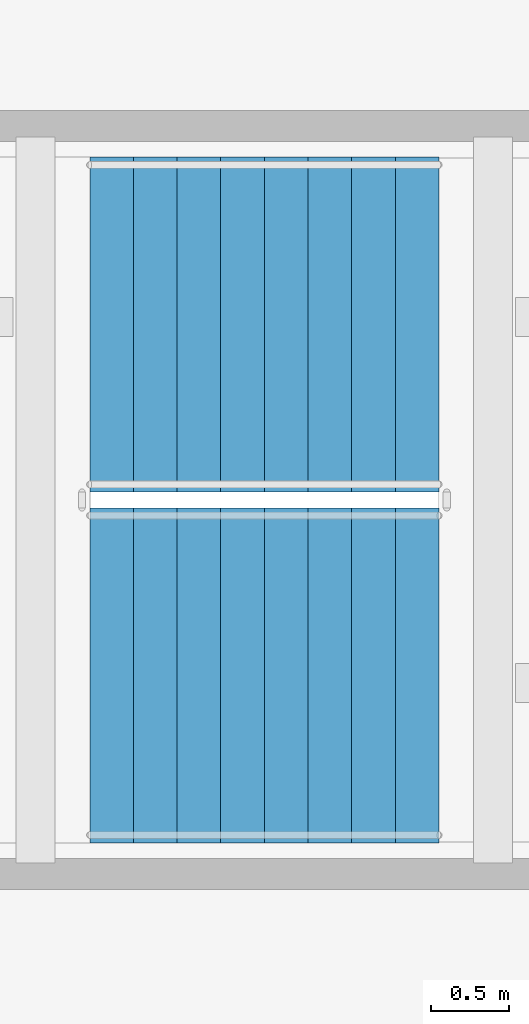
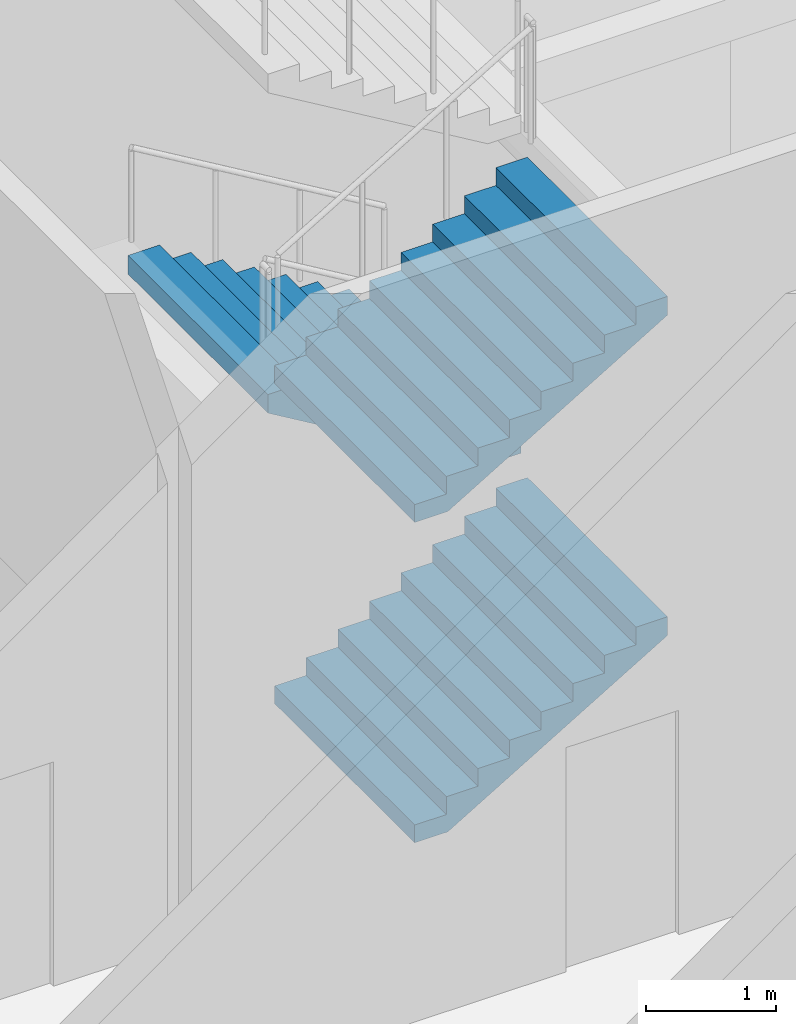
# One storey, part 21 of 29: 3 stair flights, 1 element without a shape of its own.
"""IFC4 building model written with IfcOpenShell, lengths in metres."""

import ifcopenshell
import ifcopenshell.guid

model = None  # the IFC model being written
_history = None  # IfcOwnerHistory: only IFC2X3 demands one
_inside = {}  # id of a spatial element -> (the spatial element, [elements in it])
_under = {}  # id of a project, library or spatial element -> (it, [spatial elements below it])
_declared = {}  # id of a project -> (the project, [libraries it declares])
_typed = {}  # id of a type object -> (the type object, [elements of that type])
_made_of = {}  # id of a material, layer set ... -> (it, [elements and type objects made of it])


def new_model(schema):
    """Start an empty IFC model of exactly this schema.

    Asked for "IFC4X3", IfcOpenShell would pick the latest addendum, in which some entities
    have other attributes; the version numbers below select the first issue.
    IFC2X3 requires an IfcOwnerHistory on every rooted entity: one is made here for all.
    """
    global model, _history
    if schema == "IFC4X3":
        model = ifcopenshell.file(schema_version=(4, 3, 0, 0))
    else:
        model = ifcopenshell.file(schema=schema)
    _inside.clear()
    _under.clear()
    _declared.clear()
    _typed.clear()
    _made_of.clear()
    _history = None
    if model.schema == "IFC2X3":
        org = make("IfcOrganization", Name="unknown")
        user = make(
            "IfcPersonAndOrganization",
            ThePerson=make("IfcPerson", FamilyName="unknown"),
            TheOrganization=org,
        )
        app = make(
            "IfcApplication",
            ApplicationDeveloper=org,
            Version="unknown",
            ApplicationFullName="unknown",
            ApplicationIdentifier="unknown",
        )
        _history = make(
            "IfcOwnerHistory",
            OwningUser=user,
            OwningApplication=app,
            ChangeAction="ADDED",
            CreationDate=0,
        )
    return model


def make(cls, **values):
    """One entity of the class cls with the attributes given. An attribute that is None is left unset."""
    return model.create_entity(
        cls, **{name: value for name, value in values.items() if value is not None}
    )


def rooted(cls, **values):
    """An entity with a GlobalId (a new one), such as an element, a storey or a relation."""
    return make(cls, GlobalId=ifcopenshell.guid.new(), OwnerHistory=_history, **values)


def si_unit(unit_type, name, prefix=None):
    """IfcSIUnit, for example si_unit("LENGTHUNIT", "METRE", prefix="MILLI")."""
    return make("IfcSIUnit", UnitType=unit_type, Prefix=prefix, Name=name)


def assignment(units):
    """IfcUnitAssignment: the units of a project."""
    return None if units is None else make("IfcUnitAssignment", Units=units)


def point(xyz):
    """IfcCartesianPoint."""
    return None if xyz is None else make("IfcCartesianPoint", Coordinates=xyz)


def direction(xyz):
    """IfcDirection."""
    return None if xyz is None else make("IfcDirection", DirectionRatios=xyz)


def frame(location, z_axis=None, x_axis=None):
    """IfcAxis2Placement3D, a coordinate frame: its origin and axes. An axis left out is left unset."""
    return make(
        "IfcAxis2Placement3D",
        Location=point(location),
        Axis=direction(z_axis),
        RefDirection=direction(x_axis),
    )


def origin():
    """The frame at (0, 0, 0) with its axes left unset."""
    return frame((0.0, 0.0, 0.0))


def place(relative_to, where):
    """IfcLocalPlacement: puts the frame where relative to a parent placement (None: the world)."""
    return make(
        "IfcLocalPlacement", PlacementRelTo=relative_to, RelativePlacement=where
    )


def context(
    kind, dimensions, precision=None, world=None, true_north=None, identifier=None
):
    """IfcGeometricRepresentationContext, for example the 3D "Model" context."""
    return make(
        "IfcGeometricRepresentationContext",
        ContextIdentifier=identifier,
        ContextType=kind,
        CoordinateSpaceDimension=dimensions,
        Precision=precision,
        WorldCoordinateSystem=world,
        TrueNorth=true_north,
    )


def subcontext(parent, identifier, kind, view, scale=None):
    """IfcGeometricRepresentationSubContext, for example "Body" below "Model"."""
    return make(
        "IfcGeometricRepresentationSubContext",
        ContextIdentifier=identifier,
        ContextType=kind,
        ParentContext=parent,
        TargetScale=scale,
        TargetView=view,
    )


def project(units=None, contexts=None):
    """IfcProject with its units and contexts."""
    return rooted(
        "IfcProject",
        Name="project",
        RepresentationContexts=contexts,
        UnitsInContext=assignment(units),
    )


def spatial(cls, under=None, at=None, **own):
    """A site, building, storey or space (cls), placed at a placement, below another one or the project."""
    s = rooted(cls, ObjectPlacement=at, **own)
    if under is not None:
        _under.setdefault(under.id(), (under, []))[1].append(s)
    return s


def point_list(points):
    """IfcCartesianPointList2D or 3D."""
    cls = (
        "IfcCartesianPointList2D" if len(points[0]) == 2 else "IfcCartesianPointList3D"
    )
    return make(cls, CoordList=points)


def triangles(points, corners, closed=None, point_numbers=None):
    """IfcTriangulatedFaceSet: each triangle names its three corners, points numbered from 1."""
    return make(
        "IfcTriangulatedFaceSet",
        Coordinates=point_list(points),
        Closed=closed,
        CoordIndex=corners,
        PnIndex=point_numbers,
    )


def shape(context_of_items, identifier, shape_type, items):
    """IfcShapeRepresentation: the items that make up one representation, for example the "Body"."""
    return make(
        "IfcShapeRepresentation",
        ContextOfItems=context_of_items,
        RepresentationIdentifier=identifier,
        RepresentationType=shape_type,
        Items=items,
    )


def material(Name=None, Category=None):
    """IfcMaterial."""
    return make("IfcMaterial", Name=Name, Category=Category)


def made_of(thing, what):
    """Note that an element or type object is made of a material, layer set ...; save() writes the relation."""
    if what is not None:
        _made_of.setdefault(what.id(), (what, []))[1].append(thing)
    return thing


def type_object(cls, material=None, **own):
    """A type object (cls), such as IfcWallType, which elements share."""
    return made_of(rooted(cls, **own), material)


def element(
    cls,
    number,
    at=None,
    inside=None,
    cuts=None,
    type_object=None,
    material=None,
    context=None,
    identifier="Body",
    shape_type=None,
    held_by="IfcProductDefinitionShape",
    body=None,
    shapes=None,
    **own,
):
    """One element of the class cls, such as IfcWall. Its Tag is "e" and its number.

    at: its placement. inside: the storey or other place that contains it. cuts: it is an
    opening in that element (IfcRelVoidsElement). A single representation is given by context,
    identifier, shape_type and body (its items); several are given by shapes. held_by: the class
    of the entity that holds the representations. save() writes the other relations.
    """
    e = rooted(cls, Tag="e%d" % number, ObjectPlacement=at, **own)
    if body is not None:
        shapes = [shape(context, identifier, shape_type, body)]
    if shapes is not None:
        e.Representation = make(held_by, Representations=shapes)
    if inside is not None:
        _inside.setdefault(inside.id(), (inside, []))[1].append(e)
    if cuts is not None:
        rooted(
            "IfcRelVoidsElement", RelatingBuildingElement=cuts, RelatedOpeningElement=e
        )
    if type_object is not None:
        _typed.setdefault(type_object.id(), (type_object, []))[1].append(e)
    return made_of(e, material)


def aggregate(whole, parts):
    """IfcRelAggregates: a whole, such as a stair, and the parts it consists of."""
    return rooted("IfcRelAggregates", RelatingObject=whole, RelatedObjects=parts)


def save(model, path):
    """Write the relations noted so far, then the file.

    IfcRelAggregates (storeys below a building ...), IfcRelContainedInSpatialStructure (elements
    in a storey), IfcRelDefinesByType, IfcRelAssociatesMaterial and IfcRelDeclares: one each for
    every whole, place, type object, material and project.
    """
    for whole, parts in _under.values():
        aggregate(whole, parts)
    for where, things in _inside.values():
        rooted(
            "IfcRelContainedInSpatialStructure",
            RelatedElements=things,
            RelatingStructure=where,
        )
    for kind, things in _typed.values():
        rooted("IfcRelDefinesByType", RelatedObjects=things, RelatingType=kind)
    for what, things in _made_of.values():
        rooted("IfcRelAssociatesMaterial", RelatedObjects=things, RelatingMaterial=what)
    for by, libraries in _declared.values():
        rooted("IfcRelDeclares", RelatingContext=by, RelatedDefinitions=libraries)
    model.write(path)


model = new_model("IFC4")

# Units and contexts
model_context = context("Model", 3, precision=1e-05, world=origin(), true_north=direction((0.0, 1.0)))
body_context = subcontext(model_context, "Body", "Model", "MODEL_VIEW")
ifc_project = project(units=[si_unit("LENGTHUNIT", "METRE"), si_unit("AREAUNIT", "SQUARE_METRE"), si_unit("VOLUMEUNIT", "CUBIC_METRE"), si_unit("PLANEANGLEUNIT", "RADIAN"), si_unit("MASSUNIT", "GRAM", prefix="KILO")], contexts=[model_context])

# Site, building, storey
site_placement = place(None, origin())
site = spatial("IfcSite", under=ifc_project, at=site_placement, CompositionType="ELEMENT")
building_placement = place(site_placement, origin())
building = spatial("IfcBuilding", under=site, at=building_placement, Name="Verdalira Terraces Hotel", CompositionType="ELEMENT")
storey_placement = place(building_placement, frame((0.0, 0.0, 8.0)))
storey = spatial("IfcBuildingStorey", under=building, at=storey_placement, Name="L01", CompositionType="ELEMENT", Elevation=8.0)

# Stair, stair flights
ifc_material_1 = material(Name="Concrete C40", Category="concrete")
stair_type = type_object("IfcStairType", Name="Podium stair 36 risers", PredefinedType="HALF_TURN_STAIR", material=ifc_material_1)
stair_placement = place(storey_placement, origin())
stair = element("IfcStair", 1, at=stair_placement, inside=storey, type_object=stair_type, Name="L01 Exit stair PS1", PredefinedType="HALF_TURN_STAIR")
ifc_material_2 = material(Name="Concrete C40", Category="concrete")
stair_flight_type = type_object("IfcStairFlightType", Name="Podium stair flight 36 risers", PredefinedType="STRAIGHT", material=ifc_material_2)
stair_flight_1_placement = place(storey_placement, frame((-0.75, 37.675049, 0.0), z_axis=(0.0, 0.0, 1.0), x_axis=(1.0, 0.0, 0.0)))
stair_flight_1 = element("IfcStairFlight", 2, at=stair_flight_1_placement, type_object=stair_flight_type, Name="PS1 flight 1", NumberOfRisers=9, NumberOfTreads=8, PredefinedType="STRAIGHT", RiserHeight=0.166666667, TreadLength=0.28, context=body_context, shape_type="Tessellation", body=[
    triangles([(0.0, 1.074951, 0.0), (0.292969, 1.074951, 0.0), (2.23999, 1.074951, 1.158936), (0.0, -1.074951, 0.0), (0.292969, -1.074951, 0.0), (2.23999, -1.074951, 1.158936), (2.23999, 1.074951, 1.333252), (1.959961, 1.074951, 1.333252), (2.23999, -1.074951, 1.333252), (1.959961, -1.074951, 1.333252), (1.959961, 1.074951, 1.166748), (1.959961, -1.074951, 1.166748), (1.679932, 1.074951, 1.166748), (1.679932, -1.074951, 1.166748), (1.679932, 1.074951, 1.0), (1.679932, -1.074951, 1.0), (1.399902, 1.074951, 1.0), (1.399902, 1.074951, 0.833252), (1.399902, -1.074951, 1.0), (1.399902, -1.074951, 0.833252), (1.120117, 1.074951, 0.833252), (1.120117, 1.074951, 0.666748), (1.120117, -1.074951, 0.833252), (1.120117, -1.074951, 0.666748), (0.840088, 1.074951, 0.666748), (0.840088, 1.074951, 0.5), (0.840088, -1.074951, 0.666748), (0.840088, -1.074951, 0.5), (0.560059, 1.074951, 0.5), (0.560059, 1.074951, 0.333252), (0.560059, -1.074951, 0.5), (0.560059, -1.074951, 0.333252), (0.280029, 1.074951, 0.333252), (0.280029, 1.074951, 0.166748), (0.280029, -1.074951, 0.333252), (0.280029, -1.074951, 0.166748), (0.0, 1.074951, 0.166748), (0.0, -1.074951, 0.166748), (0.0, -1.007767, 0.0), (0.0, -1.007767, 0.166748), (0.0, -0.940582, 0.0), (0.0, -0.940582, 0.166748), (0.0, -0.873398, 0.0), (0.0, -0.873398, 0.166748), (0.0, -0.806213, 0.0), (0.0, -0.806213, 0.166748), (0.0, -0.739029, 0.0), (0.0, -0.739029, 0.166748), (0.0, -0.671844, 0.0), (0.0, -0.671844, 0.166748), (0.0, -0.60466, 0.0), (0.0, -0.60466, 0.166748), (0.0, -0.537476, 0.0), (0.0, -0.537476, 0.166748), (0.0, -0.470291, 0.0), (0.0, -0.470291, 0.166748), (0.0, -0.403107, 0.0), (0.0, -0.403107, 0.166748), (0.0, -0.335922, 0.0), (0.0, -0.335922, 0.166748), (0.0, -0.268738, 0.0), (0.0, -0.268738, 0.166748), (0.0, -0.201553, 0.0), (0.0, -0.201553, 0.166748), (0.0, -0.134369, 0.0), (0.0, -0.134369, 0.166748), (0.0, -0.067184, 0.0), (0.0, -0.067184, 0.166748), (0.0, 0.0, 0.0), (0.0, 0.0, 0.166748), (0.0, 0.067184, 0.0), (0.0, 0.067184, 0.166748), (0.0, 0.134369, 0.0), (0.0, 0.134369, 0.166748), (0.0, 0.201553, 0.0), (0.0, 0.201553, 0.166748), (0.0, 0.268738, 0.0), (0.0, 0.268738, 0.166748), (0.0, 0.335922, 0.0), (0.0, 0.335922, 0.166748), (0.0, 0.403107, 0.0), (0.0, 0.403107, 0.166748), (0.0, 0.470291, 0.0), (0.0, 0.470291, 0.166748), (0.0, 0.537476, 0.0), (0.0, 0.537476, 0.166748), (0.0, 0.60466, 0.0), (0.0, 0.60466, 0.166748), (0.0, 0.671844, 0.0), (0.0, 0.671844, 0.166748), (0.0, 0.739029, 0.0), (0.0, 0.739029, 0.166748), (0.0, 0.806213, 0.0), (0.0, 0.806213, 0.166748), (0.0, 0.873398, 0.0), (0.0, 0.873398, 0.166748), (0.0, 0.940582, 0.0), (0.0, 0.940582, 0.166748), (0.0, 1.007767, 0.0), (0.0, 1.007767, 0.166748), (2.23999, -1.007767, 1.333252), (2.23999, -0.940582, 1.333252), (2.23999, -0.873398, 1.333252), (2.23999, -0.806213, 1.333252), (2.23999, -0.739029, 1.333252), (2.23999, -0.671844, 1.333252), (2.23999, -0.60466, 1.333252), (2.23999, -0.537476, 1.333252), (2.23999, -0.470291, 1.333252), (2.23999, -0.403107, 1.333252), (2.23999, -0.335922, 1.333252), (2.23999, -0.268738, 1.333252), (2.23999, -0.201553, 1.333252), (2.23999, -0.134369, 1.333252), (2.23999, -0.067184, 1.333252), (2.23999, 0.0, 1.333252), (2.23999, 0.067184, 1.333252), (2.23999, 0.134369, 1.333252), (2.23999, 0.201553, 1.333252), (2.23999, 0.268738, 1.333252), (2.23999, 0.335922, 1.333252), (2.23999, 0.403107, 1.333252), (2.23999, 0.470291, 1.333252), (2.23999, 0.537476, 1.333252), (2.23999, 0.60466, 1.333252), (2.23999, 0.671844, 1.333252), (2.23999, 0.739029, 1.333252), (2.23999, 0.806213, 1.333252), (2.23999, 0.873398, 1.333252), (2.23999, 0.940582, 1.333252), (2.23999, 1.007767, 1.333252), (2.23999, -1.007767, 1.158936), (2.23999, -0.940582, 1.158936), (2.23999, -0.873398, 1.158936), (2.23999, -0.806213, 1.158936), (2.23999, -0.739029, 1.158936), (2.23999, -0.671844, 1.158936), (2.23999, -0.60466, 1.158936), (2.23999, -0.537476, 1.158936), (2.23999, -0.470291, 1.158936), (2.23999, -0.403107, 1.158936), (2.23999, -0.335922, 1.158936), (2.23999, -0.268738, 1.158936), (2.23999, -0.201553, 1.158936), (2.23999, -0.134369, 1.158936), (2.23999, -0.067184, 1.158936), (2.23999, 0.0, 1.158936), (2.23999, 0.067184, 1.158936), (2.23999, 0.134369, 1.158936), (2.23999, 0.201553, 1.158936), (2.23999, 0.268738, 1.158936), (2.23999, 0.335922, 1.158936), (2.23999, 0.403107, 1.158936), (2.23999, 0.470291, 1.158936), (2.23999, 0.537476, 1.158936), (2.23999, 0.60466, 1.158936), (2.23999, 0.671844, 1.158936), (2.23999, 0.739029, 1.158936), (2.23999, 0.806213, 1.158936), (2.23999, 0.873398, 1.158936), (2.23999, 0.940582, 1.158936), (2.23999, 1.007767, 1.158936)], [[1, 3, 2], [4, 5, 6], [3, 8, 7], [6, 9, 10], [3, 11, 8], [6, 10, 12], [3, 13, 11], [6, 12, 14], [3, 15, 13], [6, 14, 16], [15, 18, 17], [16, 19, 20], [3, 18, 15], [6, 16, 20], [18, 22, 21], [20, 23, 24], [3, 22, 18], [6, 20, 24], [22, 26, 25], [24, 27, 28], [3, 26, 22], [6, 24, 28], [26, 30, 29], [28, 31, 32], [3, 30, 26], [6, 28, 32], [1, 30, 3], [4, 6, 32], [30, 34, 33], [32, 35, 36], [1, 34, 30], [4, 32, 36], [34, 1, 37], [36, 38, 4], [4, 40, 39], [4, 38, 40], [39, 42, 41], [39, 40, 42], [41, 44, 43], [41, 42, 44], [43, 46, 45], [43, 44, 46], [45, 48, 47], [45, 46, 48], [47, 50, 49], [47, 48, 50], [49, 52, 51], [49, 50, 52], [51, 54, 53], [51, 52, 54], [53, 56, 55], [53, 54, 56], [55, 58, 57], [55, 56, 58], [57, 60, 59], [57, 58, 60], [59, 62, 61], [59, 60, 62], [61, 64, 63], [61, 62, 64], [63, 66, 65], [63, 64, 66], [65, 68, 67], [65, 66, 68], [67, 70, 69], [67, 68, 70], [69, 72, 71], [69, 70, 72], [71, 74, 73], [71, 72, 74], [73, 76, 75], [73, 74, 76], [75, 78, 77], [75, 76, 78], [77, 80, 79], [77, 78, 80], [79, 82, 81], [79, 80, 82], [81, 84, 83], [81, 82, 84], [83, 86, 85], [83, 84, 86], [85, 88, 87], [85, 86, 88], [87, 90, 89], [87, 88, 90], [89, 92, 91], [89, 90, 92], [91, 94, 93], [91, 92, 94], [93, 96, 95], [93, 94, 96], [95, 98, 97], [95, 96, 98], [97, 100, 99], [97, 98, 100], [99, 37, 1], [99, 100, 37], [38, 36, 40], [40, 36, 42], [42, 36, 44], [44, 36, 46], [46, 36, 48], [48, 36, 50], [50, 36, 52], [52, 36, 54], [54, 36, 56], [56, 36, 58], [58, 36, 60], [60, 36, 62], [62, 36, 64], [64, 36, 66], [66, 36, 68], [68, 36, 70], [70, 36, 72], [72, 36, 74], [74, 36, 76], [76, 36, 78], [78, 36, 80], [80, 36, 82], [82, 36, 84], [84, 36, 86], [86, 36, 88], [88, 36, 90], [90, 36, 92], [92, 36, 94], [94, 36, 96], [96, 36, 98], [98, 36, 100], [100, 36, 37], [37, 36, 34], [36, 33, 34], [36, 35, 33], [35, 30, 33], [35, 32, 30], [32, 29, 30], [32, 31, 29], [31, 26, 29], [31, 28, 26], [28, 25, 26], [28, 27, 25], [27, 22, 25], [27, 24, 22], [24, 21, 22], [24, 23, 21], [23, 18, 21], [23, 20, 18], [20, 17, 18], [20, 19, 17], [19, 15, 17], [19, 16, 15], [16, 13, 15], [16, 14, 13], [14, 11, 13], [14, 12, 11], [12, 8, 11], [12, 10, 8], [9, 101, 10], [101, 102, 10], [102, 103, 10], [103, 104, 10], [104, 105, 10], [105, 106, 10], [106, 107, 10], [107, 108, 10], [108, 109, 10], [109, 110, 10], [110, 111, 10], [111, 112, 10], [112, 113, 10], [113, 114, 10], [114, 115, 10], [115, 116, 10], [116, 117, 10], [117, 118, 10], [118, 119, 10], [119, 120, 10], [120, 121, 10], [121, 122, 10], [122, 123, 10], [123, 124, 10], [124, 125, 10], [125, 126, 10], [126, 127, 10], [127, 128, 10], [128, 129, 10], [129, 130, 10], [130, 131, 10], [131, 7, 10], [7, 8, 10], [9, 132, 101], [9, 6, 132], [101, 133, 102], [101, 132, 133], [102, 134, 103], [102, 133, 134], [103, 135, 104], [103, 134, 135], [104, 136, 105], [104, 135, 136], [105, 137, 106], [105, 136, 137], [106, 138, 107], [106, 137, 138], [107, 139, 108], [107, 138, 139], [108, 140, 109], [108, 139, 140], [109, 141, 110], [109, 140, 141], [110, 142, 111], [110, 141, 142], [111, 143, 112], [111, 142, 143], [112, 144, 113], [112, 143, 144], [113, 145, 114], [113, 144, 145], [114, 146, 115], [114, 145, 146], [115, 147, 116], [115, 146, 147], [116, 148, 117], [116, 147, 148], [117, 149, 118], [117, 148, 149], [118, 150, 119], [118, 149, 150], [119, 151, 120], [119, 150, 151], [120, 152, 121], [120, 151, 152], [121, 153, 122], [121, 152, 153], [122, 154, 123], [122, 153, 154], [123, 155, 124], [123, 154, 155], [124, 156, 125], [124, 155, 156], [125, 157, 126], [125, 156, 157], [126, 158, 127], [126, 157, 158], [127, 159, 128], [127, 158, 159], [128, 160, 129], [128, 159, 160], [129, 161, 130], [129, 160, 161], [130, 162, 131], [130, 161, 162], [131, 3, 7], [131, 162, 3], [6, 5, 132], [132, 5, 133], [133, 5, 134], [134, 5, 135], [135, 5, 136], [136, 5, 137], [137, 5, 138], [138, 5, 139], [139, 5, 140], [140, 5, 141], [141, 5, 142], [142, 5, 143], [143, 5, 144], [144, 5, 145], [145, 5, 146], [146, 5, 147], [147, 5, 148], [148, 5, 149], [149, 5, 150], [150, 5, 151], [151, 5, 152], [152, 5, 153], [153, 5, 154], [154, 5, 155], [155, 5, 156], [156, 5, 157], [157, 5, 158], [158, 5, 159], [159, 5, 160], [160, 5, 161], [161, 5, 162], [162, 5, 3], [3, 5, 2], [4, 39, 5], [39, 41, 5], [41, 43, 5], [43, 45, 5], [45, 47, 5], [47, 49, 5], [49, 51, 5], [51, 53, 5], [53, 55, 5], [55, 57, 5], [57, 59, 5], [59, 61, 5], [61, 63, 5], [63, 65, 5], [65, 67, 5], [67, 69, 5], [69, 71, 5], [71, 73, 5], [73, 75, 5], [75, 77, 5], [77, 79, 5], [79, 81, 5], [81, 83, 5], [83, 85, 5], [85, 87, 5], [87, 89, 5], [89, 91, 5], [91, 93, 5], [93, 95, 5], [95, 97, 5], [97, 99, 5], [99, 1, 5], [1, 2, 5]], closed=True),
])
stair_flight_2_placement = place(storey_placement, frame((1.48999, 39.925049, 1.5), z_axis=(0.0, 0.0, 1.0), x_axis=(-1.0, 0.0, 0.0)))
stair_flight_2 = element("IfcStairFlight", 3, at=stair_flight_2_placement, type_object=stair_flight_type, Name="PS1 flight 2", NumberOfRisers=9, NumberOfTreads=8, PredefinedType="STRAIGHT", RiserHeight=0.166666667, TreadLength=0.28, context=body_context, shape_type="Tessellation", body=[
    triangles([(0.0, 1.074951, 0.0), (0.292969, 1.074951, 0.0), (2.23999, 1.074951, 1.158936), (0.0, -1.074951, 0.0), (0.292969, -1.074951, 0.0), (2.23999, -1.074951, 1.158936), (2.23999, 1.074951, 1.333252), (1.959961, 1.074951, 1.333252), (2.23999, -1.074951, 1.333252), (1.959961, -1.074951, 1.333252), (1.959961, 1.074951, 1.166748), (1.959961, -1.074951, 1.166748), (1.679932, 1.074951, 1.166748), (1.679932, -1.074951, 1.166748), (1.679932, 1.074951, 1.0), (1.679932, -1.074951, 1.0), (1.399902, 1.074951, 1.0), (1.399902, 1.074951, 0.833252), (1.399902, -1.074951, 1.0), (1.399902, -1.074951, 0.833252), (1.120117, 1.074951, 0.833252), (1.120117, 1.074951, 0.666748), (1.120117, -1.074951, 0.833252), (1.120117, -1.074951, 0.666748), (0.840088, 1.074951, 0.666748), (0.840088, 1.074951, 0.5), (0.840088, -1.074951, 0.666748), (0.840088, -1.074951, 0.5), (0.560059, 1.074951, 0.5), (0.560059, 1.074951, 0.333252), (0.560059, -1.074951, 0.5), (0.560059, -1.074951, 0.333252), (0.280029, 1.074951, 0.333252), (0.280029, 1.074951, 0.166748), (0.280029, -1.074951, 0.333252), (0.280029, -1.074951, 0.166748), (0.0, 1.074951, 0.166748), (0.0, -1.074951, 0.166748), (0.0, -1.007767, 0.0), (0.0, -1.007767, 0.166748), (0.0, -0.940582, 0.0), (0.0, -0.940582, 0.166748), (0.0, -0.873398, 0.0), (0.0, -0.873398, 0.166748), (0.0, -0.806213, 0.0), (0.0, -0.806213, 0.166748), (0.0, -0.739029, 0.0), (0.0, -0.739029, 0.166748), (0.0, -0.671844, 0.0), (0.0, -0.671844, 0.166748), (0.0, -0.60466, 0.0), (0.0, -0.60466, 0.166748), (0.0, -0.537476, 0.0), (0.0, -0.537476, 0.166748), (0.0, -0.470291, 0.0), (0.0, -0.470291, 0.166748), (0.0, -0.403107, 0.0), (0.0, -0.403107, 0.166748), (0.0, -0.335922, 0.0), (0.0, -0.335922, 0.166748), (0.0, -0.268738, 0.0), (0.0, -0.268738, 0.166748), (0.0, -0.201553, 0.0), (0.0, -0.201553, 0.166748), (0.0, -0.134369, 0.0), (0.0, -0.134369, 0.166748), (0.0, -0.067184, 0.0), (0.0, -0.067184, 0.166748), (0.0, 0.0, 0.0), (0.0, 0.0, 0.166748), (0.0, 0.067184, 0.0), (0.0, 0.067184, 0.166748), (0.0, 0.134369, 0.0), (0.0, 0.134369, 0.166748), (0.0, 0.201553, 0.0), (0.0, 0.201553, 0.166748), (0.0, 0.268738, 0.0), (0.0, 0.268738, 0.166748), (0.0, 0.335922, 0.0), (0.0, 0.335922, 0.166748), (0.0, 0.403107, 0.0), (0.0, 0.403107, 0.166748), (0.0, 0.470291, 0.0), (0.0, 0.470291, 0.166748), (0.0, 0.537476, 0.0), (0.0, 0.537476, 0.166748), (0.0, 0.60466, 0.0), (0.0, 0.60466, 0.166748), (0.0, 0.671844, 0.0), (0.0, 0.671844, 0.166748), (0.0, 0.739029, 0.0), (0.0, 0.739029, 0.166748), (0.0, 0.806213, 0.0), (0.0, 0.806213, 0.166748), (0.0, 0.873398, 0.0), (0.0, 0.873398, 0.166748), (0.0, 0.940582, 0.0), (0.0, 0.940582, 0.166748), (0.0, 1.007767, 0.0), (0.0, 1.007767, 0.166748), (2.23999, -1.007767, 1.333252), (2.23999, -0.940582, 1.333252), (2.23999, -0.873398, 1.333252), (2.23999, -0.806213, 1.333252), (2.23999, -0.739029, 1.333252), (2.23999, -0.671844, 1.333252), (2.23999, -0.60466, 1.333252), (2.23999, -0.537476, 1.333252), (2.23999, -0.470291, 1.333252), (2.23999, -0.403107, 1.333252), (2.23999, -0.335922, 1.333252), (2.23999, -0.268738, 1.333252), (2.23999, -0.201553, 1.333252), (2.23999, -0.134369, 1.333252), (2.23999, -0.067184, 1.333252), (2.23999, 0.0, 1.333252), (2.23999, 0.067184, 1.333252), (2.23999, 0.134369, 1.333252), (2.23999, 0.201553, 1.333252), (2.23999, 0.268738, 1.333252), (2.23999, 0.335922, 1.333252), (2.23999, 0.403107, 1.333252), (2.23999, 0.470291, 1.333252), (2.23999, 0.537476, 1.333252), (2.23999, 0.60466, 1.333252), (2.23999, 0.671844, 1.333252), (2.23999, 0.739029, 1.333252), (2.23999, 0.806213, 1.333252), (2.23999, 0.873398, 1.333252), (2.23999, 0.940582, 1.333252), (2.23999, 1.007767, 1.333252), (2.23999, -1.007767, 1.158936), (2.23999, -0.940582, 1.158936), (2.23999, -0.873398, 1.158936), (2.23999, -0.806213, 1.158936), (2.23999, -0.739029, 1.158936), (2.23999, -0.671844, 1.158936), (2.23999, -0.60466, 1.158936), (2.23999, -0.537476, 1.158936), (2.23999, -0.470291, 1.158936), (2.23999, -0.403107, 1.158936), (2.23999, -0.335922, 1.158936), (2.23999, -0.268738, 1.158936), (2.23999, -0.201553, 1.158936), (2.23999, -0.134369, 1.158936), (2.23999, -0.067184, 1.158936), (2.23999, 0.0, 1.158936), (2.23999, 0.067184, 1.158936), (2.23999, 0.134369, 1.158936), (2.23999, 0.201553, 1.158936), (2.23999, 0.268738, 1.158936), (2.23999, 0.335922, 1.158936), (2.23999, 0.403107, 1.158936), (2.23999, 0.470291, 1.158936), (2.23999, 0.537476, 1.158936), (2.23999, 0.60466, 1.158936), (2.23999, 0.671844, 1.158936), (2.23999, 0.739029, 1.158936), (2.23999, 0.806213, 1.158936), (2.23999, 0.873398, 1.158936), (2.23999, 0.940582, 1.158936), (2.23999, 1.007767, 1.158936)], [[1, 3, 2], [4, 5, 6], [3, 8, 7], [6, 9, 10], [3, 11, 8], [6, 10, 12], [3, 13, 11], [6, 12, 14], [3, 15, 13], [6, 14, 16], [15, 18, 17], [16, 19, 20], [3, 18, 15], [6, 16, 20], [18, 22, 21], [20, 23, 24], [3, 22, 18], [6, 20, 24], [22, 26, 25], [24, 27, 28], [3, 26, 22], [6, 24, 28], [26, 30, 29], [28, 31, 32], [3, 30, 26], [6, 28, 32], [1, 30, 3], [4, 6, 32], [30, 34, 33], [32, 35, 36], [1, 34, 30], [4, 32, 36], [34, 1, 37], [36, 38, 4], [4, 40, 39], [4, 38, 40], [39, 42, 41], [39, 40, 42], [41, 44, 43], [41, 42, 44], [43, 46, 45], [43, 44, 46], [45, 48, 47], [45, 46, 48], [47, 50, 49], [47, 48, 50], [49, 52, 51], [49, 50, 52], [51, 54, 53], [51, 52, 54], [53, 56, 55], [53, 54, 56], [55, 58, 57], [55, 56, 58], [57, 60, 59], [57, 58, 60], [59, 62, 61], [59, 60, 62], [61, 64, 63], [61, 62, 64], [63, 66, 65], [63, 64, 66], [65, 68, 67], [65, 66, 68], [67, 70, 69], [67, 68, 70], [69, 72, 71], [69, 70, 72], [71, 74, 73], [71, 72, 74], [73, 76, 75], [73, 74, 76], [75, 78, 77], [75, 76, 78], [77, 80, 79], [77, 78, 80], [79, 82, 81], [79, 80, 82], [81, 84, 83], [81, 82, 84], [83, 86, 85], [83, 84, 86], [85, 88, 87], [85, 86, 88], [87, 90, 89], [87, 88, 90], [89, 92, 91], [89, 90, 92], [91, 94, 93], [91, 92, 94], [93, 96, 95], [93, 94, 96], [95, 98, 97], [95, 96, 98], [97, 100, 99], [97, 98, 100], [99, 37, 1], [99, 100, 37], [38, 36, 40], [40, 36, 42], [42, 36, 44], [44, 36, 46], [46, 36, 48], [48, 36, 50], [50, 36, 52], [52, 36, 54], [54, 36, 56], [56, 36, 58], [58, 36, 60], [60, 36, 62], [62, 36, 64], [64, 36, 66], [66, 36, 68], [68, 36, 70], [70, 36, 72], [72, 36, 74], [74, 36, 76], [76, 36, 78], [78, 36, 80], [80, 36, 82], [82, 36, 84], [84, 36, 86], [86, 36, 88], [88, 36, 90], [90, 36, 92], [92, 36, 94], [94, 36, 96], [96, 36, 98], [98, 36, 100], [100, 36, 37], [37, 36, 34], [36, 33, 34], [36, 35, 33], [35, 30, 33], [35, 32, 30], [32, 29, 30], [32, 31, 29], [31, 26, 29], [31, 28, 26], [28, 25, 26], [28, 27, 25], [27, 22, 25], [27, 24, 22], [24, 21, 22], [24, 23, 21], [23, 18, 21], [23, 20, 18], [20, 17, 18], [20, 19, 17], [19, 15, 17], [19, 16, 15], [16, 13, 15], [16, 14, 13], [14, 11, 13], [14, 12, 11], [12, 8, 11], [12, 10, 8], [9, 101, 10], [101, 102, 10], [102, 103, 10], [103, 104, 10], [104, 105, 10], [105, 106, 10], [106, 107, 10], [107, 108, 10], [108, 109, 10], [109, 110, 10], [110, 111, 10], [111, 112, 10], [112, 113, 10], [113, 114, 10], [114, 115, 10], [115, 116, 10], [116, 117, 10], [117, 118, 10], [118, 119, 10], [119, 120, 10], [120, 121, 10], [121, 122, 10], [122, 123, 10], [123, 124, 10], [124, 125, 10], [125, 126, 10], [126, 127, 10], [127, 128, 10], [128, 129, 10], [129, 130, 10], [130, 131, 10], [131, 7, 10], [7, 8, 10], [9, 132, 101], [9, 6, 132], [101, 133, 102], [101, 132, 133], [102, 134, 103], [102, 133, 134], [103, 135, 104], [103, 134, 135], [104, 136, 105], [104, 135, 136], [105, 137, 106], [105, 136, 137], [106, 138, 107], [106, 137, 138], [107, 139, 108], [107, 138, 139], [108, 140, 109], [108, 139, 140], [109, 141, 110], [109, 140, 141], [110, 142, 111], [110, 141, 142], [111, 143, 112], [111, 142, 143], [112, 144, 113], [112, 143, 144], [113, 145, 114], [113, 144, 145], [114, 146, 115], [114, 145, 146], [115, 147, 116], [115, 146, 147], [116, 148, 117], [116, 147, 148], [117, 149, 118], [117, 148, 149], [118, 150, 119], [118, 149, 150], [119, 151, 120], [119, 150, 151], [120, 152, 121], [120, 151, 152], [121, 153, 122], [121, 152, 153], [122, 154, 123], [122, 153, 154], [123, 155, 124], [123, 154, 155], [124, 156, 125], [124, 155, 156], [125, 157, 126], [125, 156, 157], [126, 158, 127], [126, 157, 158], [127, 159, 128], [127, 158, 159], [128, 160, 129], [128, 159, 160], [129, 161, 130], [129, 160, 161], [130, 162, 131], [130, 161, 162], [131, 3, 7], [131, 162, 3], [6, 5, 132], [132, 5, 133], [133, 5, 134], [134, 5, 135], [135, 5, 136], [136, 5, 137], [137, 5, 138], [138, 5, 139], [139, 5, 140], [140, 5, 141], [141, 5, 142], [142, 5, 143], [143, 5, 144], [144, 5, 145], [145, 5, 146], [146, 5, 147], [147, 5, 148], [148, 5, 149], [149, 5, 150], [150, 5, 151], [151, 5, 152], [152, 5, 153], [153, 5, 154], [154, 5, 155], [155, 5, 156], [156, 5, 157], [157, 5, 158], [158, 5, 159], [159, 5, 160], [160, 5, 161], [161, 5, 162], [162, 5, 3], [3, 5, 2], [4, 39, 5], [39, 41, 5], [41, 43, 5], [43, 45, 5], [45, 47, 5], [47, 49, 5], [49, 51, 5], [51, 53, 5], [53, 55, 5], [55, 57, 5], [57, 59, 5], [59, 61, 5], [61, 63, 5], [63, 65, 5], [65, 67, 5], [67, 69, 5], [69, 71, 5], [71, 73, 5], [73, 75, 5], [75, 77, 5], [77, 79, 5], [79, 81, 5], [81, 83, 5], [83, 85, 5], [85, 87, 5], [87, 89, 5], [89, 91, 5], [91, 93, 5], [93, 95, 5], [95, 97, 5], [97, 99, 5], [99, 1, 5], [1, 2, 5]], closed=True),
])
stair_flight_3_placement = place(storey_placement, frame((-0.75, 37.675049, 3.0), z_axis=(0.0, 0.0, 1.0), x_axis=(1.0, 0.0, 0.0)))
stair_flight_3 = element("IfcStairFlight", 4, at=stair_flight_3_placement, type_object=stair_flight_type, Name="PS1 flight 3", NumberOfRisers=9, NumberOfTreads=8, PredefinedType="STRAIGHT", RiserHeight=0.166666667, TreadLength=0.28, context=body_context, shape_type="Tessellation", body=[
    triangles([(0.0, 1.074951, 0.0), (0.292969, 1.074951, 0.0), (2.23999, 1.074951, 1.158936), (0.0, -1.074951, 0.0), (0.292969, -1.074951, 0.0), (2.23999, -1.074951, 1.158936), (2.23999, 1.074951, 1.333252), (1.959961, 1.074951, 1.333252), (2.23999, -1.074951, 1.333252), (1.959961, -1.074951, 1.333252), (1.959961, 1.074951, 1.166748), (1.959961, -1.074951, 1.166748), (1.679932, 1.074951, 1.166748), (1.679932, -1.074951, 1.166748), (1.679932, 1.074951, 1.0), (1.679932, -1.074951, 1.0), (1.399902, 1.074951, 1.0), (1.399902, 1.074951, 0.833252), (1.399902, -1.074951, 1.0), (1.399902, -1.074951, 0.833252), (1.120117, 1.074951, 0.833252), (1.120117, 1.074951, 0.666748), (1.120117, -1.074951, 0.833252), (1.120117, -1.074951, 0.666748), (0.840088, 1.074951, 0.666748), (0.840088, 1.074951, 0.5), (0.840088, -1.074951, 0.666748), (0.840088, -1.074951, 0.5), (0.560059, 1.074951, 0.5), (0.560059, 1.074951, 0.333252), (0.560059, -1.074951, 0.5), (0.560059, -1.074951, 0.333252), (0.280029, 1.074951, 0.333252), (0.280029, 1.074951, 0.166748), (0.280029, -1.074951, 0.333252), (0.280029, -1.074951, 0.166748), (0.0, 1.074951, 0.166748), (0.0, -1.074951, 0.166748), (0.0, -1.007767, 0.0), (0.0, -1.007767, 0.166748), (0.0, -0.940582, 0.0), (0.0, -0.940582, 0.166748), (0.0, -0.873398, 0.0), (0.0, -0.873398, 0.166748), (0.0, -0.806213, 0.0), (0.0, -0.806213, 0.166748), (0.0, -0.739029, 0.0), (0.0, -0.739029, 0.166748), (0.0, -0.671844, 0.0), (0.0, -0.671844, 0.166748), (0.0, -0.60466, 0.0), (0.0, -0.60466, 0.166748), (0.0, -0.537476, 0.0), (0.0, -0.537476, 0.166748), (0.0, -0.470291, 0.0), (0.0, -0.470291, 0.166748), (0.0, -0.403107, 0.0), (0.0, -0.403107, 0.166748), (0.0, -0.335922, 0.0), (0.0, -0.335922, 0.166748), (0.0, -0.268738, 0.0), (0.0, -0.268738, 0.166748), (0.0, -0.201553, 0.0), (0.0, -0.201553, 0.166748), (0.0, -0.134369, 0.0), (0.0, -0.134369, 0.166748), (0.0, -0.067184, 0.0), (0.0, -0.067184, 0.166748), (0.0, 0.0, 0.0), (0.0, 0.0, 0.166748), (0.0, 0.067184, 0.0), (0.0, 0.067184, 0.166748), (0.0, 0.134369, 0.0), (0.0, 0.134369, 0.166748), (0.0, 0.201553, 0.0), (0.0, 0.201553, 0.166748), (0.0, 0.268738, 0.0), (0.0, 0.268738, 0.166748), (0.0, 0.335922, 0.0), (0.0, 0.335922, 0.166748), (0.0, 0.403107, 0.0), (0.0, 0.403107, 0.166748), (0.0, 0.470291, 0.0), (0.0, 0.470291, 0.166748), (0.0, 0.537476, 0.0), (0.0, 0.537476, 0.166748), (0.0, 0.60466, 0.0), (0.0, 0.60466, 0.166748), (0.0, 0.671844, 0.0), (0.0, 0.671844, 0.166748), (0.0, 0.739029, 0.0), (0.0, 0.739029, 0.166748), (0.0, 0.806213, 0.0), (0.0, 0.806213, 0.166748), (0.0, 0.873398, 0.0), (0.0, 0.873398, 0.166748), (0.0, 0.940582, 0.0), (0.0, 0.940582, 0.166748), (0.0, 1.007767, 0.0), (0.0, 1.007767, 0.166748), (2.23999, -1.007767, 1.333252), (2.23999, -0.940582, 1.333252), (2.23999, -0.873398, 1.333252), (2.23999, -0.806213, 1.333252), (2.23999, -0.739029, 1.333252), (2.23999, -0.671844, 1.333252), (2.23999, -0.60466, 1.333252), (2.23999, -0.537476, 1.333252), (2.23999, -0.470291, 1.333252), (2.23999, -0.403107, 1.333252), (2.23999, -0.335922, 1.333252), (2.23999, -0.268738, 1.333252), (2.23999, -0.201553, 1.333252), (2.23999, -0.134369, 1.333252), (2.23999, -0.067184, 1.333252), (2.23999, 0.0, 1.333252), (2.23999, 0.067184, 1.333252), (2.23999, 0.134369, 1.333252), (2.23999, 0.201553, 1.333252), (2.23999, 0.268738, 1.333252), (2.23999, 0.335922, 1.333252), (2.23999, 0.403107, 1.333252), (2.23999, 0.470291, 1.333252), (2.23999, 0.537476, 1.333252), (2.23999, 0.60466, 1.333252), (2.23999, 0.671844, 1.333252), (2.23999, 0.739029, 1.333252), (2.23999, 0.806213, 1.333252), (2.23999, 0.873398, 1.333252), (2.23999, 0.940582, 1.333252), (2.23999, 1.007767, 1.333252), (2.23999, -1.007767, 1.158936), (2.23999, -0.940582, 1.158936), (2.23999, -0.873398, 1.158936), (2.23999, -0.806213, 1.158936), (2.23999, -0.739029, 1.158936), (2.23999, -0.671844, 1.158936), (2.23999, -0.60466, 1.158936), (2.23999, -0.537476, 1.158936), (2.23999, -0.470291, 1.158936), (2.23999, -0.403107, 1.158936), (2.23999, -0.335922, 1.158936), (2.23999, -0.268738, 1.158936), (2.23999, -0.201553, 1.158936), (2.23999, -0.134369, 1.158936), (2.23999, -0.067184, 1.158936), (2.23999, 0.0, 1.158936), (2.23999, 0.067184, 1.158936), (2.23999, 0.134369, 1.158936), (2.23999, 0.201553, 1.158936), (2.23999, 0.268738, 1.158936), (2.23999, 0.335922, 1.158936), (2.23999, 0.403107, 1.158936), (2.23999, 0.470291, 1.158936), (2.23999, 0.537476, 1.158936), (2.23999, 0.60466, 1.158936), (2.23999, 0.671844, 1.158936), (2.23999, 0.739029, 1.158936), (2.23999, 0.806213, 1.158936), (2.23999, 0.873398, 1.158936), (2.23999, 0.940582, 1.158936), (2.23999, 1.007767, 1.158936)], [[1, 3, 2], [4, 5, 6], [3, 8, 7], [6, 9, 10], [3, 11, 8], [6, 10, 12], [3, 13, 11], [6, 12, 14], [3, 15, 13], [6, 14, 16], [15, 18, 17], [16, 19, 20], [3, 18, 15], [6, 16, 20], [18, 22, 21], [20, 23, 24], [3, 22, 18], [6, 20, 24], [22, 26, 25], [24, 27, 28], [3, 26, 22], [6, 24, 28], [26, 30, 29], [28, 31, 32], [3, 30, 26], [6, 28, 32], [1, 30, 3], [4, 6, 32], [30, 34, 33], [32, 35, 36], [1, 34, 30], [4, 32, 36], [34, 1, 37], [36, 38, 4], [4, 40, 39], [4, 38, 40], [39, 42, 41], [39, 40, 42], [41, 44, 43], [41, 42, 44], [43, 46, 45], [43, 44, 46], [45, 48, 47], [45, 46, 48], [47, 50, 49], [47, 48, 50], [49, 52, 51], [49, 50, 52], [51, 54, 53], [51, 52, 54], [53, 56, 55], [53, 54, 56], [55, 58, 57], [55, 56, 58], [57, 60, 59], [57, 58, 60], [59, 62, 61], [59, 60, 62], [61, 64, 63], [61, 62, 64], [63, 66, 65], [63, 64, 66], [65, 68, 67], [65, 66, 68], [67, 70, 69], [67, 68, 70], [69, 72, 71], [69, 70, 72], [71, 74, 73], [71, 72, 74], [73, 76, 75], [73, 74, 76], [75, 78, 77], [75, 76, 78], [77, 80, 79], [77, 78, 80], [79, 82, 81], [79, 80, 82], [81, 84, 83], [81, 82, 84], [83, 86, 85], [83, 84, 86], [85, 88, 87], [85, 86, 88], [87, 90, 89], [87, 88, 90], [89, 92, 91], [89, 90, 92], [91, 94, 93], [91, 92, 94], [93, 96, 95], [93, 94, 96], [95, 98, 97], [95, 96, 98], [97, 100, 99], [97, 98, 100], [99, 37, 1], [99, 100, 37], [38, 36, 40], [40, 36, 42], [42, 36, 44], [44, 36, 46], [46, 36, 48], [48, 36, 50], [50, 36, 52], [52, 36, 54], [54, 36, 56], [56, 36, 58], [58, 36, 60], [60, 36, 62], [62, 36, 64], [64, 36, 66], [66, 36, 68], [68, 36, 70], [70, 36, 72], [72, 36, 74], [74, 36, 76], [76, 36, 78], [78, 36, 80], [80, 36, 82], [82, 36, 84], [84, 36, 86], [86, 36, 88], [88, 36, 90], [90, 36, 92], [92, 36, 94], [94, 36, 96], [96, 36, 98], [98, 36, 100], [100, 36, 37], [37, 36, 34], [36, 33, 34], [36, 35, 33], [35, 30, 33], [35, 32, 30], [32, 29, 30], [32, 31, 29], [31, 26, 29], [31, 28, 26], [28, 25, 26], [28, 27, 25], [27, 22, 25], [27, 24, 22], [24, 21, 22], [24, 23, 21], [23, 18, 21], [23, 20, 18], [20, 17, 18], [20, 19, 17], [19, 15, 17], [19, 16, 15], [16, 13, 15], [16, 14, 13], [14, 11, 13], [14, 12, 11], [12, 8, 11], [12, 10, 8], [9, 101, 10], [101, 102, 10], [102, 103, 10], [103, 104, 10], [104, 105, 10], [105, 106, 10], [106, 107, 10], [107, 108, 10], [108, 109, 10], [109, 110, 10], [110, 111, 10], [111, 112, 10], [112, 113, 10], [113, 114, 10], [114, 115, 10], [115, 116, 10], [116, 117, 10], [117, 118, 10], [118, 119, 10], [119, 120, 10], [120, 121, 10], [121, 122, 10], [122, 123, 10], [123, 124, 10], [124, 125, 10], [125, 126, 10], [126, 127, 10], [127, 128, 10], [128, 129, 10], [129, 130, 10], [130, 131, 10], [131, 7, 10], [7, 8, 10], [9, 132, 101], [9, 6, 132], [101, 133, 102], [101, 132, 133], [102, 134, 103], [102, 133, 134], [103, 135, 104], [103, 134, 135], [104, 136, 105], [104, 135, 136], [105, 137, 106], [105, 136, 137], [106, 138, 107], [106, 137, 138], [107, 139, 108], [107, 138, 139], [108, 140, 109], [108, 139, 140], [109, 141, 110], [109, 140, 141], [110, 142, 111], [110, 141, 142], [111, 143, 112], [111, 142, 143], [112, 144, 113], [112, 143, 144], [113, 145, 114], [113, 144, 145], [114, 146, 115], [114, 145, 146], [115, 147, 116], [115, 146, 147], [116, 148, 117], [116, 147, 148], [117, 149, 118], [117, 148, 149], [118, 150, 119], [118, 149, 150], [119, 151, 120], [119, 150, 151], [120, 152, 121], [120, 151, 152], [121, 153, 122], [121, 152, 153], [122, 154, 123], [122, 153, 154], [123, 155, 124], [123, 154, 155], [124, 156, 125], [124, 155, 156], [125, 157, 126], [125, 156, 157], [126, 158, 127], [126, 157, 158], [127, 159, 128], [127, 158, 159], [128, 160, 129], [128, 159, 160], [129, 161, 130], [129, 160, 161], [130, 162, 131], [130, 161, 162], [131, 3, 7], [131, 162, 3], [6, 5, 132], [132, 5, 133], [133, 5, 134], [134, 5, 135], [135, 5, 136], [136, 5, 137], [137, 5, 138], [138, 5, 139], [139, 5, 140], [140, 5, 141], [141, 5, 142], [142, 5, 143], [143, 5, 144], [144, 5, 145], [145, 5, 146], [146, 5, 147], [147, 5, 148], [148, 5, 149], [149, 5, 150], [150, 5, 151], [151, 5, 152], [152, 5, 153], [153, 5, 154], [154, 5, 155], [155, 5, 156], [156, 5, 157], [157, 5, 158], [158, 5, 159], [159, 5, 160], [160, 5, 161], [161, 5, 162], [162, 5, 3], [3, 5, 2], [4, 39, 5], [39, 41, 5], [41, 43, 5], [43, 45, 5], [45, 47, 5], [47, 49, 5], [49, 51, 5], [51, 53, 5], [53, 55, 5], [55, 57, 5], [57, 59, 5], [59, 61, 5], [61, 63, 5], [63, 65, 5], [65, 67, 5], [67, 69, 5], [69, 71, 5], [71, 73, 5], [73, 75, 5], [75, 77, 5], [77, 79, 5], [79, 81, 5], [81, 83, 5], [83, 85, 5], [85, 87, 5], [87, 89, 5], [89, 91, 5], [91, 93, 5], [93, 95, 5], [95, 97, 5], [97, 99, 5], [99, 1, 5], [1, 2, 5]], closed=True),
])
aggregate(stair, [stair_flight_1, stair_flight_2, stair_flight_3])

save(model, "model.ifc")
